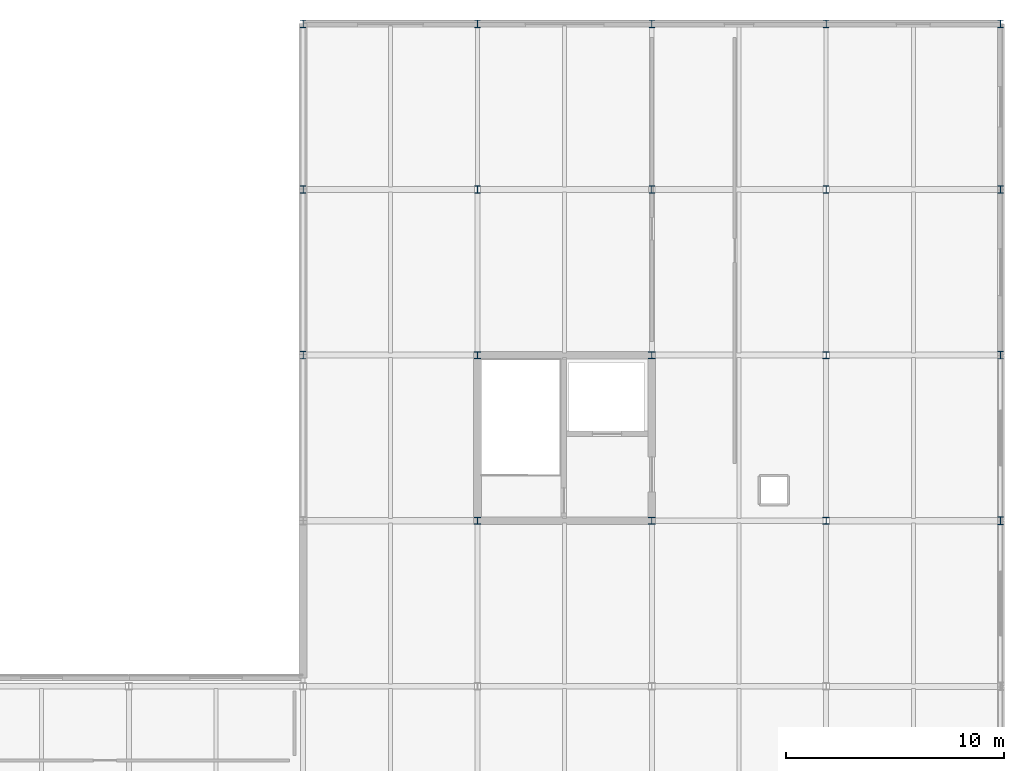
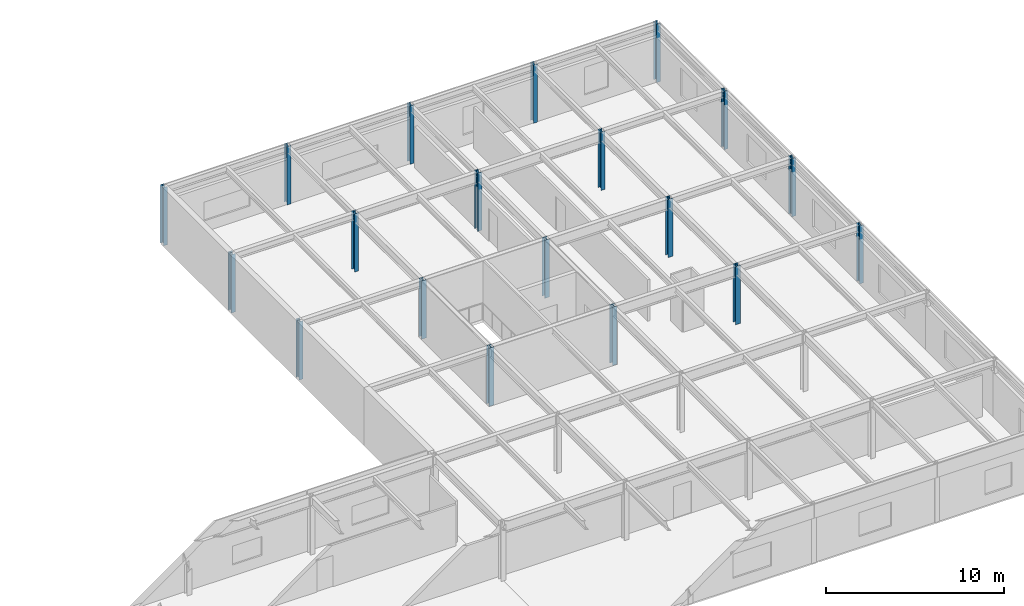
# One storey, part 7 of 33: 19 columns.
"""IFC4 building model written with IfcOpenShell, lengths in metres."""

from ifc_helpers import new_model, si_unit, direction, frame, origin, origin_2d, place, context, subcontext, project, spatial, i_section, extrude, material, material_profile, profile_set, type_object, element, save


model = new_model("IFC4")

# Units and contexts
model_context = context("Model", 3, precision=1e-05, world=origin(), true_north=direction((0.0, 1.0)))
body_context = subcontext(model_context, "Body", "Model", "MODEL_VIEW")
ifc_project = project(units=[si_unit("LENGTHUNIT", "METRE"), si_unit("AREAUNIT", "SQUARE_METRE"), si_unit("VOLUMEUNIT", "CUBIC_METRE"), si_unit("PLANEANGLEUNIT", "RADIAN"), si_unit("MASSUNIT", "GRAM", prefix="KILO")], contexts=[model_context])

# Site, building, storey
site_placement = place(None, origin())
site = spatial("IfcSite", under=ifc_project, at=site_placement, CompositionType="ELEMENT")
building_placement = place(site_placement, origin())
building = spatial("IfcBuilding", under=site, at=building_placement, Name="Zulena Civic Courthouse", CompositionType="ELEMENT")
storey_placement = place(building_placement, frame((0.0, 0.0, 33.60009765625)))
storey = spatial("IfcBuildingStorey", under=building, at=storey_placement, Name="L07", CompositionType="ELEMENT", Elevation=33.60009765625)

# Columns
ifc_material = material(Name="Steel ASTM A992 Grade 50", Category="steel")
ifc_material_profile_1 = material_profile(ifc_material, i_section(OverallWidth=0.306884765625, OverallDepth=0.31396484375, WebThickness=0.011962890625, FlangeThickness=0.018798828125, FilletRadius=0.01513671875, at=origin_2d()), Name="W12X79")
ifc_profile_set_1 = profile_set([ifc_material_profile_1], Name="Steel ASTM A992 Grade 50")
column_type_1 = type_object("IfcColumnType", Name="Col_W12X79", PredefinedType="COLUMN", material=ifc_profile_set_1)
for number, where, z_axis, x_axis, name in (
    (1, (76.0, 68.39990234375, 0.0), (0.0, 0.0, 1.0), (1.0, 0.0, 0.0), "col:V5:L07:76.0:68.4"),
    (2, (76.0, 76.0, 0.0), (0.0, 0.0, 1.0), (1.0, 0.0, 0.0), "col:V5:L07:76.0:76.0"),
    (3, (84.0, 68.39990234375, 0.0), (0.0, 0.0, 1.0), (1.0, 0.0, 0.0), "col:V5:L07:84.0:68.4"),
    (4, (84.0, 76.0, 0.0), (0.0, 0.0, 1.0), (1.0, 0.0, 0.0), "col:V5:L07:84.0:76.0"),
    (5, (92.0, 68.39990234375, 0.0), (0.0, 0.0, 1.0), (1.0, 0.0, 0.0), "col:V5:L07:92.0:68.4"),
    (6, (92.0, 76.0, 0.0), (0.0, 0.0, 1.0), (1.0, 0.0, 0.0), "col:V5:L07:92.0:76.0"),
):
    element("IfcColumn", number, at=place(storey_placement, frame(where, z_axis=z_axis, x_axis=x_axis)), inside=storey, type_object=column_type_1, Name=name, PredefinedType="COLUMN", context=body_context, shape_type="SweptSolid", body=[
        extrude(i_section(OverallWidth=0.306884765625, OverallDepth=0.31396484375, WebThickness=0.011962890625, FlangeThickness=0.018798828125, FilletRadius=0.01513671875, at=origin_2d()), origin(), (0.0, 0.0, 1.0), 3.994873046875),
    ])
ifc_material_profile_2 = material_profile(ifc_material, i_section(OverallWidth=0.2548828125, OverallDepth=0.35693359375, WebThickness=0.010498046875, FlangeThickness=0.018310546875, FilletRadius=0.01513671875, at=origin_2d()), Name="W14X68")
ifc_profile_set_2 = profile_set([ifc_material_profile_2], Name="Steel ASTM A992 Grade 50")
column_type_2 = type_object("IfcColumnType", Name="Col_W14X68", PredefinedType="COLUMN", material=ifc_profile_set_2)
for number, where, z_axis, x_axis, name in (
    (7, (68.0, 76.0, 0.0), (0.0, 0.0, 1.0), (1.0, 0.0, 0.0), "col:V5:L07:68.0:76.0"),
    (8, (68.0, 83.60009765625, 0.0), (0.0, 0.0, 1.0), (1.0, 0.0, 0.0), "col:V5:L07:68.0:83.6"),
    (9, (68.0, 91.199951171875, 0.0), (0.0, 0.0, 1.0), (1.0, 0.0, 0.0), "col:V5:L07:68.0:91.2"),
    (10, (76.0, 83.60009765625, 0.0), (0.0, 0.0, 1.0), (1.0, 0.0, 0.0), "col:V5:L07:76.0:83.6"),
    (11, (76.0, 91.199951171875, 0.0), (0.0, 0.0, 1.0), (1.0, 0.0, 0.0), "col:V5:L07:76.0:91.2"),
    (12, (84.0, 83.60009765625, 0.0), (0.0, 0.0, 1.0), (1.0, 0.0, 0.0), "col:V5:L07:84.0:83.6"),
    (13, (84.0, 91.199951171875, 0.0), (0.0, 0.0, 1.0), (1.0, 0.0, 0.0), "col:V5:L07:84.0:91.2"),
    (14, (92.0, 83.60009765625, 0.0), (0.0, 0.0, 1.0), (1.0, 0.0, 0.0), "col:V5:L07:92.0:83.6"),
    (15, (92.0, 91.199951171875, 0.0), (0.0, 0.0, 1.0), (1.0, 0.0, 0.0), "col:V5:L07:92.0:91.2"),
    (16, (100.0, 68.39990234375, 0.0), (0.0, 0.0, 1.0), (1.0, 0.0, 0.0), "col:V5:L07:100.0:68.4"),
    (17, (100.0, 76.0, 0.0), (0.0, 0.0, 1.0), (1.0, 0.0, 0.0), "col:V5:L07:100.0:76.0"),
    (18, (100.0, 83.60009765625, 0.0), (0.0, 0.0, 1.0), (1.0, 0.0, 0.0), "col:V5:L07:100.0:83.6"),
    (19, (100.0, 91.199951171875, 0.0), (0.0, 0.0, 1.0), (1.0, 0.0, 0.0), "col:V5:L07:100.0:91.2"),
):
    element("IfcColumn", number, at=place(storey_placement, frame(where, z_axis=z_axis, x_axis=x_axis)), inside=storey, type_object=column_type_2, Name=name, PredefinedType="COLUMN", context=body_context, shape_type="SweptSolid", body=[
        extrude(i_section(OverallWidth=0.2548828125, OverallDepth=0.35693359375, WebThickness=0.010498046875, FlangeThickness=0.018310546875, FilletRadius=0.01513671875, at=origin_2d()), origin(), (0.0, 0.0, 1.0), 3.994873046875),
    ])

save(model, "model.ifc")
